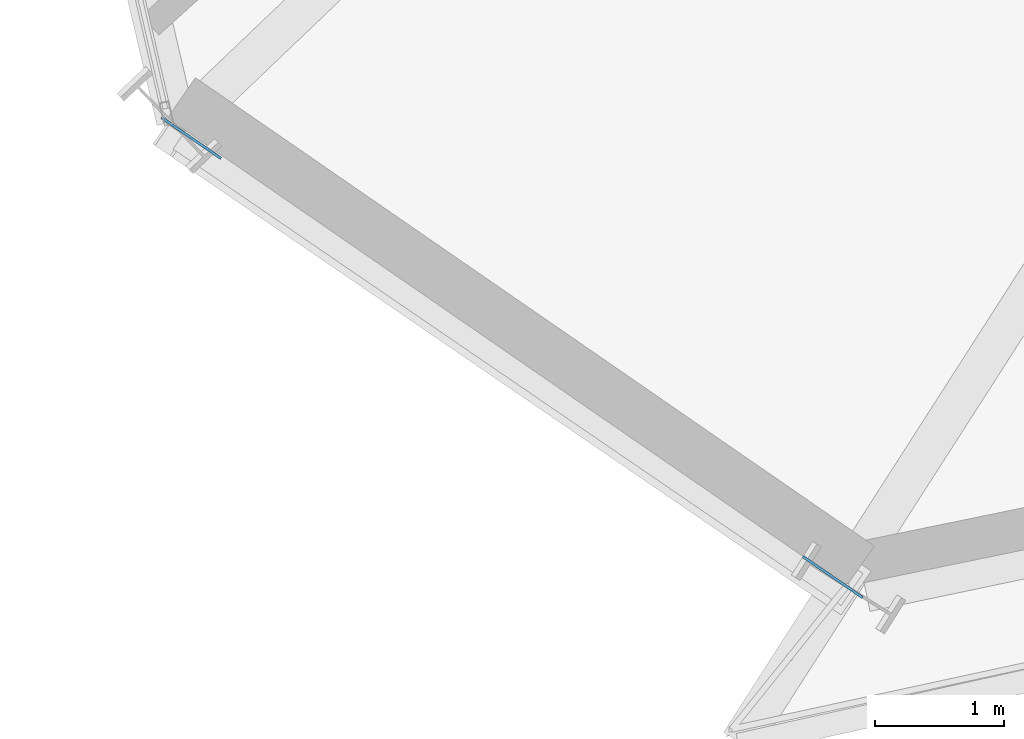
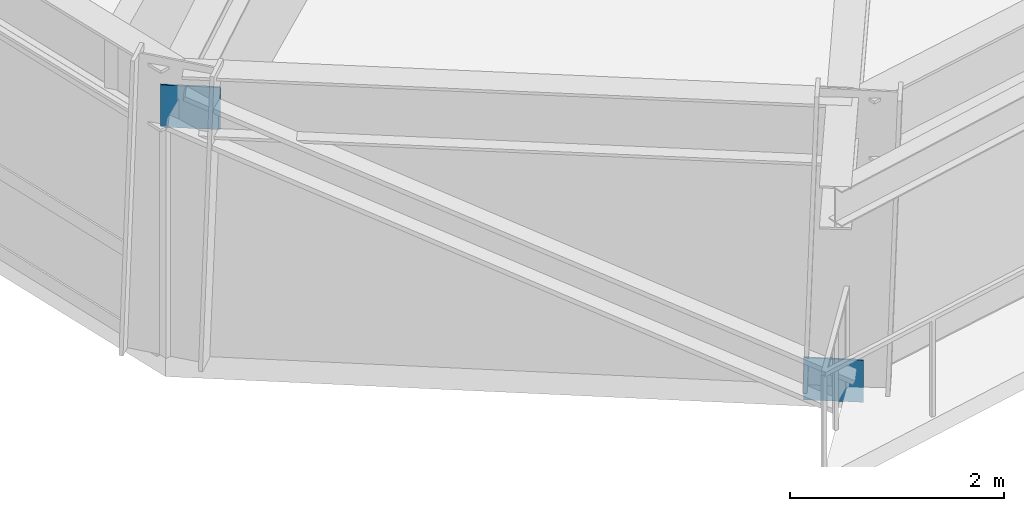
# One storey, part 13 of 23: 2 plates.
"""IFC4 building model written with IfcOpenShell, lengths in metres."""

from ifc_helpers import new_model, si_unit, direction, frame, origin, origin_2d, place, context, subcontext, project, spatial, rectangle, extrude, source, transform, mapped, material, type_object, element, save


model = new_model("IFC4")

# Units and contexts
model_context = context("Model", 3, precision=1e-05, world=origin(), true_north=direction((0.0, 1.0)))
body_context = subcontext(model_context, "Body", "Model", "MODEL_VIEW")
ifc_project = project(units=[si_unit("LENGTHUNIT", "METRE"), si_unit("AREAUNIT", "SQUARE_METRE"), si_unit("VOLUMEUNIT", "CUBIC_METRE"), si_unit("PLANEANGLEUNIT", "RADIAN"), si_unit("MASSUNIT", "GRAM", prefix="KILO")], contexts=[model_context])

# Site, building, storey
site_placement = place(None, origin())
site = spatial("IfcSite", under=ifc_project, at=site_placement, CompositionType="ELEMENT")
building_placement = place(site_placement, origin())
building = spatial("IfcBuilding", under=site, at=building_placement, Name="Olszyna Solenne Hotel", CompositionType="ELEMENT")
storey_placement = place(building_placement, frame((0.0, 0.0, 32.85009765625)))
storey = spatial("IfcBuildingStorey", under=building, at=storey_placement, Name="L07", CompositionType="ELEMENT", Elevation=32.85009765625)

# Plates
ifc_material = material(Name="Steel S355J2", Category="steel")
plate_type = type_object("IfcPlateType", Name="GP-ND2", PredefinedType="USERDEFINED", material=ifc_material)
shared_shape = source(origin(), body_context, "Body", "SweptSolid", [
    extrude(rectangle(XDim=0.56005859375, YDim=0.02001953125, at=origin_2d()), origin(), (0.0, 0.0, 1.0), 0.47998046875),
])
for number, where, z_axis, x_axis, name in (
    (1, (24.281005859375, 5.192626953125, -0.17138671875), (0.0, 0.0, 1.0), (-0.825212091054, 0.564822985348, 0.0), "Brace end connection gusset plate GP-ND2 EP-BR-L07-3-1"),
    (2, (19.310546875, 8.593994140625, 2.6162109375), (0.0, 0.0, 1.0), (-0.825212091054, 0.564822985348, 0.0), "Brace end connection gusset plate GP-ND2 EP-BR-L07-3-2"),
):
    element("IfcPlate", number, at=place(storey_placement, frame(where, z_axis=z_axis, x_axis=x_axis)), inside=storey, type_object=plate_type, Name=name, ObjectType="GUSSET_PLATE", PredefinedType="USERDEFINED", context=body_context, shape_type="MappedRepresentation", body=[
        mapped(shared_shape, transform((0.0, 0.0, 0.0), x_axis=(1.0, 0.0, 0.0), y_axis=(0.0, 1.0, 0.0), z_axis=(0.0, 0.0, 1.0), scale=1.0)),
    ])

save(model, "model.ifc")
